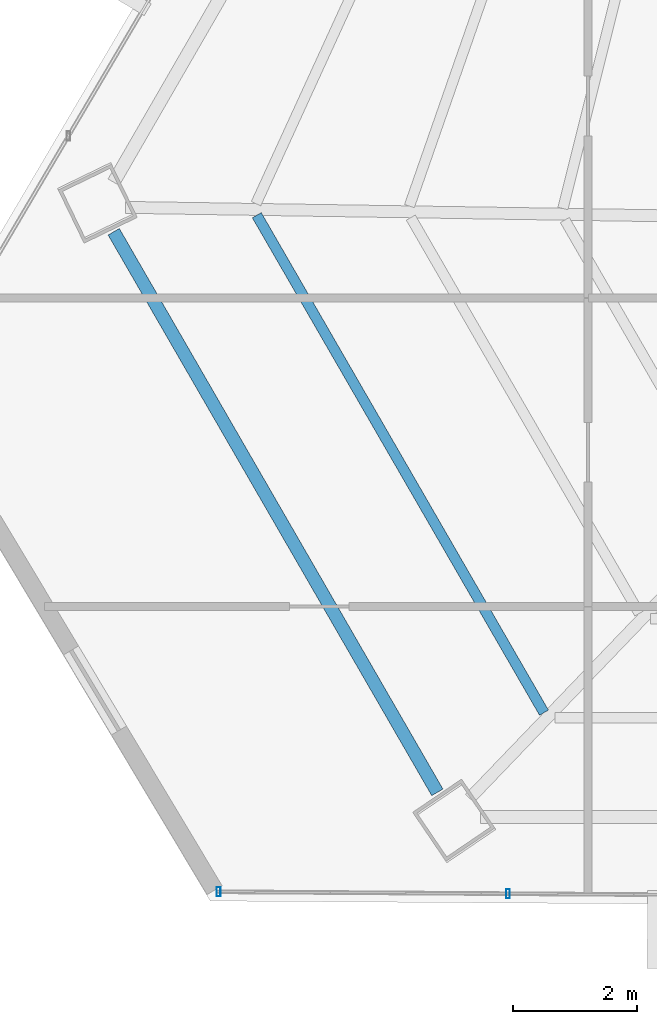
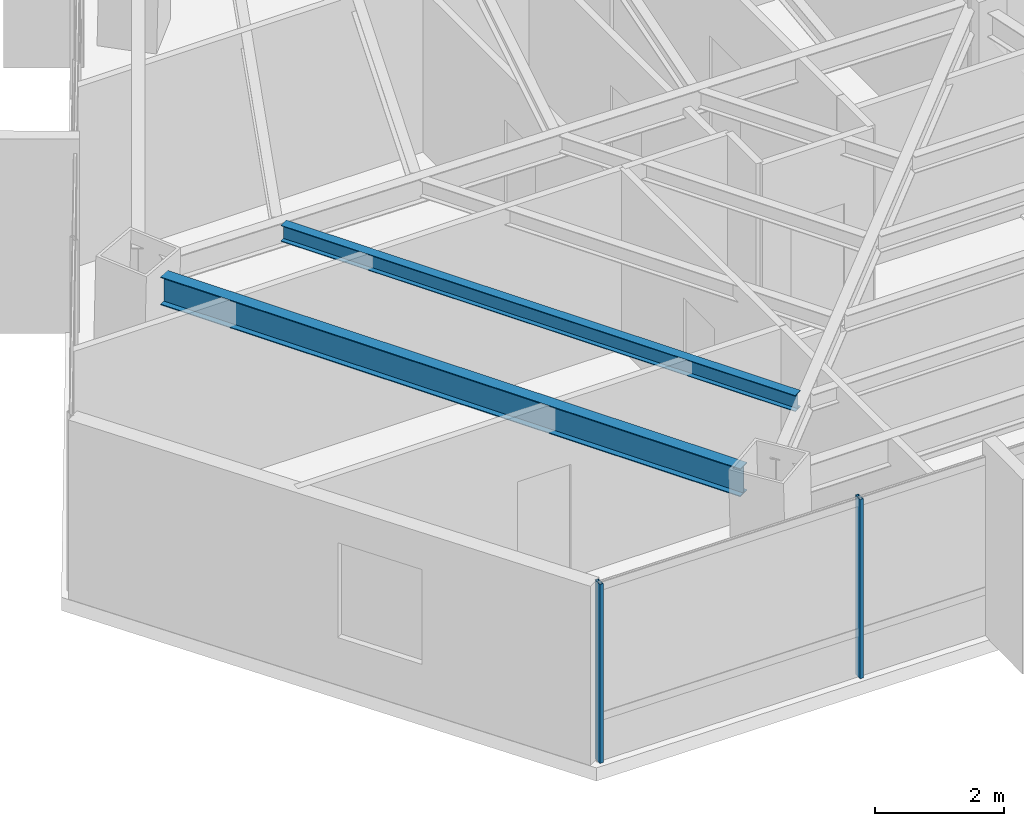
# One storey, part 2 of 40: 2 beams, 2 members, 1 element without a shape of its own.
"""IFC4 building model written with IfcOpenShell, lengths in metres."""

from ifc_helpers import new_model, si_unit, direction, frame, origin, origin_2d, place, context, subcontext, project, spatial, hollow_rectangle, i_section, extrude, source, transform, mapped, material, material_profile, profile_set, type_object, type_shapes, element, aggregate, save


model = new_model("IFC4")

# Units and contexts
model_context = context("Model", 3, precision=1e-05, world=origin(), true_north=direction((0.0, 1.0)))
body_context = subcontext(model_context, "Body", "Model", "MODEL_VIEW")
ifc_project = project(units=[si_unit("LENGTHUNIT", "METRE"), si_unit("AREAUNIT", "SQUARE_METRE"), si_unit("VOLUMEUNIT", "CUBIC_METRE"), si_unit("PLANEANGLEUNIT", "RADIAN"), si_unit("MASSUNIT", "GRAM", prefix="KILO")], contexts=[model_context])

# Site, building, storey
site_placement = place(None, origin())
site = spatial("IfcSite", under=ifc_project, at=site_placement, CompositionType="ELEMENT")
building_placement = place(site_placement, origin())
building = spatial("IfcBuilding", under=site, at=building_placement, Name="Caelisora Broadcast Tower", CompositionType="ELEMENT")
storey_placement = place(building_placement, frame((0.0, 0.0, 176.75)))
storey = spatial("IfcBuildingStorey", under=building, at=storey_placement, Name="L46", CompositionType="ELEMENT", Elevation=176.75)

# Beams
ifc_material_1 = material(Name="Steel Grade 350 (AS/NZS 3679.1)", Category="steel")
ifc_material_profile_1 = material_profile(ifc_material_1, i_section(OverallWidth=0.208984375, OverallDepth=0.532958984375, WebThickness=0.01025390625, FlangeThickness=0.015625, at=origin_2d()), Name="Steel Grade 350 (AS/NZS 3679.1)")
ifc_profile_set_1 = profile_set([ifc_material_profile_1], Name="Steel Grade 350 (AS/NZS 3679.1)")
beam_type_1 = type_object("IfcBeamType", Name="PG05", PredefinedType="BEAM", material=ifc_profile_set_1)
shared_shape_1 = source(origin(), body_context, "Body", "SweptSolid", [
    extrude(i_section(OverallWidth=0.208984375, OverallDepth=0.532958984375, WebThickness=0.01025390625, FlangeThickness=0.015625, at=origin_2d()), origin(), (0.0, 0.0, 1.0), 10.402587890625),
])
type_shapes(beam_type_1, [shared_shape_1])
beam_1_placement = place(storey_placement, frame((15.87841796875, 17.234130859375, 3.133544921875), z_axis=(0.499985878277, -0.866033556811, 0.0), x_axis=(0.866033556811, 0.499985878277, 0.0)))
element("IfcBeam", 1, at=beam_1_placement, inside=storey, type_object=beam_type_1, Name="L46 beam PG05", PredefinedType="BEAM", context=body_context, shape_type="MappedRepresentation", body=[
    mapped(shared_shape_1, transform((0.0, 0.0, 0.0), scale=1.0)),
])
ifc_material_profile_2 = material_profile(ifc_material_1, i_section(OverallWidth=0.166015625, OverallDepth=0.30712890625, WebThickness=0.006591796875, FlangeThickness=0.01171875, at=origin_2d()), Name="Steel Grade 350 (AS/NZS 3679.1)")
ifc_profile_set_2 = profile_set([ifc_material_profile_2], Name="Steel Grade 350 (AS/NZS 3679.1)")
beam_type_2 = type_object("IfcBeamType", Name="SB03", PredefinedType="JOIST", material=ifc_profile_set_2)
shared_shape_2 = source(origin(), body_context, "Body", "SweptSolid", [
    extrude(i_section(OverallWidth=0.166015625, OverallDepth=0.30712890625, WebThickness=0.006591796875, FlangeThickness=0.01171875, at=origin_2d()), origin(), (0.0, 0.0, 1.0), 9.231201171875),
])
type_shapes(beam_type_2, [shared_shape_2])
beam_2_placement = place(storey_placement, frame((18.177734375, 17.5, 3.246337890625), z_axis=(0.499993363642, -0.866029235253, 0.0), x_axis=(0.866029235253, 0.499993363642, 0.0)))
element("IfcBeam", 2, at=beam_2_placement, inside=storey, type_object=beam_type_2, Name="L46 beam SB03", PredefinedType="JOIST", context=body_context, shape_type="MappedRepresentation", body=[
    mapped(shared_shape_2, transform((0.0, 0.0, 0.0), scale=1.0)),
])

# Curtain wall, members
ifc_material_2 = material(Name="Unitised Aluminium and Low-E Glass Curtain Wall", Category="glass")
curtain_wall_type = type_object("IfcCurtainWallType", Name="CW-Z3", PredefinedType="NOTDEFINED", material=ifc_material_2)
curtain_wall_placement = place(storey_placement, origin())
curtain_wall = element("IfcCurtainWall", 3, at=curtain_wall_placement, inside=storey, type_object=curtain_wall_type, Name="L46 curtain wall CW-Z3", PredefinedType="NOTDEFINED")
ifc_material_3 = material(Name="Aluminium 6063-T6 Anodised Terracotta Bronze", Category="aluminium")
ifc_material_profile_3 = material_profile(ifc_material_3, hollow_rectangle(XDim=0.06005859375, YDim=0.14990234375, WallThickness=0.00341796875, at=origin_2d()), Name="Aluminium 6063-T6 Anodised Terracotta Bronze")
ifc_profile_set_3 = profile_set([ifc_material_profile_3], Name="Aluminium 6063-T6 Anodised Terracotta Bronze")
member_type = type_object("IfcMemberType", Name="CWM-03", PredefinedType="MULLION", material=ifc_profile_set_3)
shared_shape_3 = source(origin(), body_context, "Body", "SweptSolid", [
    extrude(hollow_rectangle(XDim=0.06005859375, YDim=0.14990234375, WallThickness=0.00341796875, at=origin_2d()), origin(), (0.0, 0.0, 1.0), 3.39990234375),
])
type_shapes(member_type, [shared_shape_3])
member_1_placement = place(storey_placement, frame((22.215087890625, 6.5966796875, 0.0), z_axis=(0.0, 0.0, 1.0), x_axis=(1.0, 0.0, 0.0)))
member_1 = element("IfcMember", 4, at=member_1_placement, type_object=member_type, Name="L46-CW-B07 mullion #2", PredefinedType="MULLION", context=body_context, shape_type="MappedRepresentation", body=[
    mapped(shared_shape_3, transform((0.0, 0.0, 0.0), scale=1.0)),
])
member_2_placement = place(storey_placement, frame((17.56494140625, 6.627685546875, 0.0), z_axis=(0.0, 0.0, 1.0), x_axis=(1.0, 0.0, 0.0)))
member_2 = element("IfcMember", 5, at=member_2_placement, type_object=member_type, Name="L46-CW-B07 mullion #3", PredefinedType="MULLION", context=body_context, shape_type="MappedRepresentation", body=[
    mapped(shared_shape_3, transform((0.0, 0.0, 0.0), scale=1.0)),
])
aggregate(curtain_wall, [member_1, member_2])

save(model, "model.ifc")
